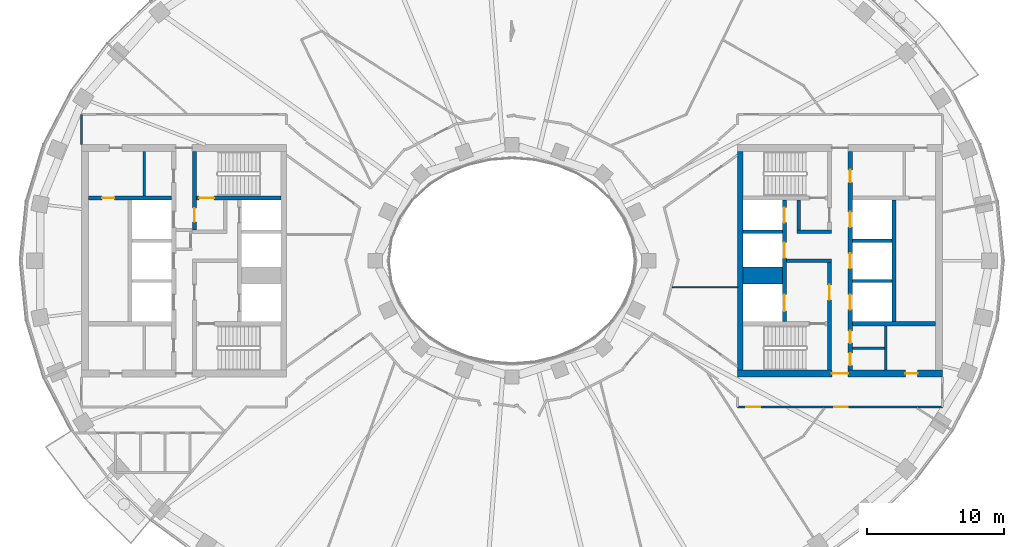
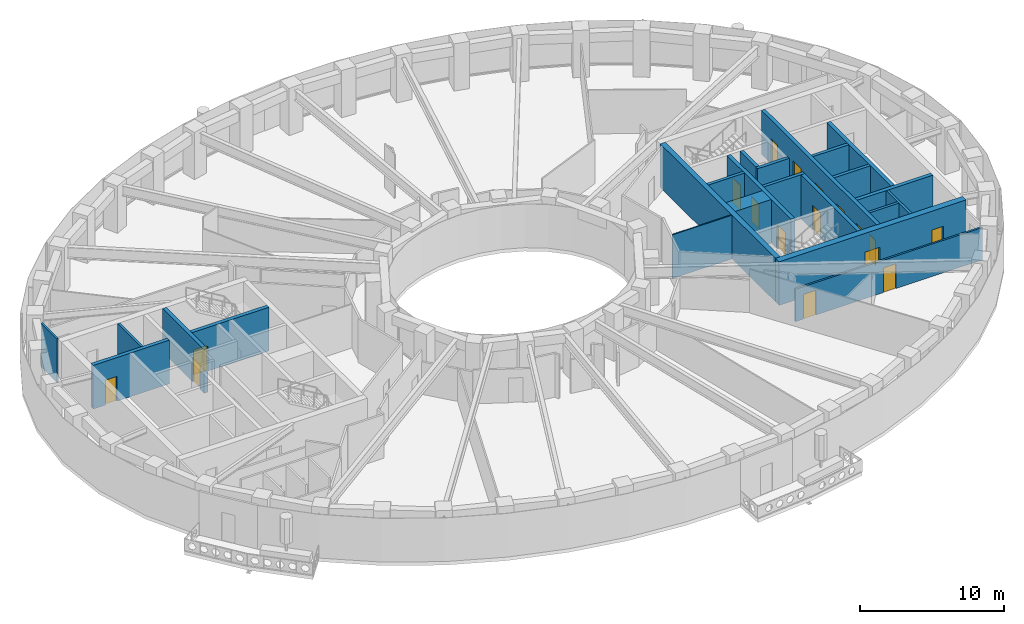
# One storey, part 5 of 16: 23 walls, 17 doors, 17 openings.
"""IFC4 building model written with IfcOpenShell, lengths in metres."""

from ifc_helpers import new_model, si_unit, direction, frame, frame_2d, origin, place, context, subcontext, project, spatial, rectangle, extrude, material, layer, layer_set, type_object, element, fill, save


model = new_model("IFC4")

# Units and contexts
model_context = context("Model", 3, precision=1e-05, world=origin(), true_north=direction((0.0, 1.0)))
body_context = subcontext(model_context, "Body", "Model", "MODEL_VIEW")
ifc_project = project(units=[si_unit("LENGTHUNIT", "METRE"), si_unit("AREAUNIT", "SQUARE_METRE"), si_unit("VOLUMEUNIT", "CUBIC_METRE"), si_unit("PLANEANGLEUNIT", "RADIAN"), si_unit("MASSUNIT", "GRAM", prefix="KILO")], contexts=[model_context])

# Site, building, storey
site_placement = place(None, origin())
site = spatial("IfcSite", under=ifc_project, at=site_placement, CompositionType="ELEMENT")
building_placement = place(site_placement, origin())
building = spatial("IfcBuilding", under=site, at=building_placement, Name="Noorbagh Ring Tower", CompositionType="ELEMENT")
storey_placement = place(building_placement, frame((0.0, 0.0, 186.0)))
storey = spatial("IfcBuildingStorey", under=building, at=storey_placement, Name="L43", CompositionType="ELEMENT", Elevation=186.0)

# Walls
ifc_material_1 = material(Name="Gypsum board on steel studs", Category="steel")
ifc_layer_1 = layer(ifc_material_1, 0.199951171875)
ifc_layer_set_1 = layer_set([ifc_layer_1], Name="Gypsum board on steel studs")
wall_type_1 = type_object("IfcWallType", Name="CORE-PARTITION-200", PredefinedType="PARTITIONING", material=ifc_layer_set_1)
for number, where, z_axis, x_axis, name in (
    (1, (-26.89990234375, 4.75, 0.0), (0.0, 0.0, 1.0), (0.0, 1.0, 0.0), "Core partition W"),
    (2, (27.35009765625, -8.0, 0.0), (0.0, 0.0, 1.0), (0.0, 1.0, 0.0), "Core partition E"),
):
    element("IfcWall", number, at=place(storey_placement, frame(where, z_axis=z_axis, x_axis=x_axis)), inside=storey, type_object=wall_type_1, Name=name, PredefinedType="PARTITIONING", context=body_context, shape_type="SweptSolid", body=[
        extrude(rectangle(XDim=3.25, YDim=0.199951171875, at=frame_2d((1.625, 0.0))), origin(), (0.0, 0.0, 1.0), 3.699951171875),
    ])
wall_1_placement = place(storey_placement, frame((24.89990234375, -6.39990234375, 0.0), z_axis=(0.0, 0.0, 1.0), x_axis=(1.0, 0.0, 0.0)))
element("IfcWall", 3, at=wall_1_placement, inside=storey, type_object=wall_type_1, Name="Core partition E", PredefinedType="PARTITIONING", context=body_context, shape_type="SweptSolid", body=[
    extrude(rectangle(XDim=2.35009765625, YDim=0.199951171875, at=frame_2d((1.175048828125, 0.0))), origin(), (0.0, 0.0, 1.0), 3.699951171875),
])
ifc_material_2 = material(Name="Concrete C60/75", Category="concrete")
ifc_layer_2 = layer(ifc_material_2, 1.25)
ifc_layer_set_2 = layer_set([ifc_layer_2], Name="Concrete C60/75")
wall_type_2 = type_object("IfcWallType", Name="CORE-WALL-1250-C60-75-EI120", PredefinedType="SHEAR", material=ifc_layer_set_2)
wall_2_placement = place(storey_placement, frame((16.89990234375, -1.074951171875, 0.0), z_axis=(0.0, 0.0, 1.0), x_axis=(1.0, 0.0, 0.0)))
element("IfcWall", 4, at=wall_2_placement, inside=storey, type_object=wall_type_2, Name="Core wall E", PredefinedType="SHEAR", context=body_context, shape_type="SweptSolid", body=[
    extrude(rectangle(XDim=2.900146484375, YDim=1.25, at=frame_2d((1.4501953125, 0.0))), origin(), (0.0, 0.0, 1.0), 3.699951171875),
])
ifc_material_3 = material(Name="Concrete C60/75", Category="concrete")
ifc_layer_3 = layer(ifc_material_3, 0.25)
ifc_layer_set_3 = layer_set([ifc_layer_3], Name="Concrete C60/75")
wall_type_3 = type_object("IfcWallType", Name="CORE-WALL-250-C60-75-EI120", PredefinedType="SHEAR", material=ifc_layer_set_3)
for number, where, z_axis, x_axis, name in (
    (5, (16.89990234375, 2.125, 0.0), (0.0, 0.0, 1.0), (1.0, 0.0, 0.0), "Core wall E"),
    (6, (24.89990234375, -1.47509765625, 0.0), (0.0, 0.0, 1.0), (1.0, 0.0, 0.0), "Core wall E"),
    (7, (24.89990234375, 1.47509765625, 0.0), (0.0, 0.0, 1.0), (1.0, 0.0, 0.0), "Core wall E"),
):
    element("IfcWall", number, at=place(storey_placement, frame(where, z_axis=z_axis, x_axis=x_axis)), inside=storey, type_object=wall_type_3, Name=name, PredefinedType="SHEAR", context=body_context, shape_type="SweptSolid", body=[
        extrude(rectangle(XDim=2.900146484375, YDim=0.25, at=frame_2d((1.4501953125, 0.0))), origin(), (0.0, 0.0, 1.0), 3.699951171875),
    ])
ifc_material_4 = material(Name="Concrete C60/75", Category="concrete")
ifc_layer_4 = layer(ifc_material_4, 0.25)
ifc_layer_set_4 = layer_set([ifc_layer_4], Name="Concrete C60/75")
wall_type_4 = type_object("IfcWallType", Name="CORE-WALL-250-C60-75-EI240", PredefinedType="SHEAR", material=ifc_layer_set_4)
wall_3_placement = place(storey_placement, frame((20.10009765625, 0.0, 0.0), z_axis=(0.0, 0.0, 1.0), x_axis=(1.0, 0.0, 0.0)))
element("IfcWall", 8, at=wall_3_placement, inside=storey, type_object=wall_type_4, Name="Core wall E", PredefinedType="SHEAR", context=body_context, shape_type="SweptSolid", body=[
    extrude(rectangle(XDim=3.27978515625, YDim=0.25, at=frame_2d((1.639892578125, 0.0))), origin(), (0.0, 0.0, 1.0), 3.699951171875),
])
wall_4_placement = place(storey_placement, frame((20.85009765625, 2.125, 0.0), z_axis=(0.0, 0.0, 1.0), x_axis=(1.0, 0.0, 0.0)))
element("IfcWall", 9, at=wall_4_placement, inside=storey, type_object=wall_type_4, Name="Core wall E", PredefinedType="SHEAR", context=body_context, shape_type="SweptSolid", body=[
    extrude(rectangle(XDim=2.52978515625, YDim=0.25, at=frame_2d((1.264892578125, 0.0))), origin(), (0.0, 0.0, 1.0), 3.699951171875),
])
wall_5_placement = place(storey_placement, frame((20.97509765625, 2.25, 0.0), z_axis=(0.0, 0.0, 1.0), x_axis=(0.0, 1.0, 0.0)))
element("IfcWall", 10, at=wall_5_placement, inside=storey, type_object=wall_type_4, Name="Core wall E", PredefinedType="SHEAR", context=body_context, shape_type="SweptSolid", body=[
    extrude(rectangle(XDim=2.199951171875, YDim=0.25, at=frame_2d((1.10009765625, 0.0))), origin(), (0.0, 0.0, 1.0), 3.699951171875),
])
ifc_material_5 = material(Name="Concrete C60/75", Category="concrete")
ifc_layer_5 = layer(ifc_material_5, 0.300048828125)
ifc_layer_set_5 = layer_set([ifc_layer_5], Name="Concrete C60/75")
wall_type_5 = type_object("IfcWallType", Name="CORE-WALL-300-C60-75-EI120", PredefinedType="SHEAR", material=ifc_layer_set_5)
wall_6_placement = place(storey_placement, frame((27.949951171875, -4.449951171875, 0.0), z_axis=(0.0, 0.0, 1.0), x_axis=(0.0, 1.0, 0.0)))
element("IfcWall", 11, at=wall_6_placement, inside=storey, type_object=wall_type_5, Name="Core wall E", PredefinedType="SHEAR", context=body_context, shape_type="SweptSolid", body=[
    extrude(rectangle(XDim=8.89990234375, YDim=0.300048828125, at=frame_2d((4.449951171875, 0.0))), origin(), (0.0, 0.0, 1.0), 3.699951171875),
])

# Wall, openings, doors
wall_7_placement = place(storey_placement, frame((19.949951171875, -4.449951171875, 0.0), z_axis=(0.0, 0.0, 1.0), x_axis=(0.0, 1.0, 0.0)))
wall_7 = element("IfcWall", 12, at=wall_7_placement, inside=storey, type_object=wall_type_5, Name="Core wall E", PredefinedType="SHEAR", context=body_context, shape_type="SweptSolid", body=[
    extrude(rectangle(XDim=8.89990234375, YDim=0.300048828125, at=frame_2d((4.449951171875, 0.0))), origin(), (0.0, 0.0, 1.0), 3.699951171875),
])
opening_1_placement = place(wall_7_placement, frame((0.77490234375, 0.0, 0.0)))
opening_1 = element("IfcOpeningElement", 13, at=opening_1_placement, cuts=wall_7, Name="Opening L43-CE01", PredefinedType="OPENING", context=body_context, shape_type="SweptSolid", body=[
    extrude(rectangle(XDim=1.199951171875, YDim=2.10009765625, at=frame_2d((0.60009765625, 1.050048828125))), frame((0.0, 0.16015625, 0.0), z_axis=(0.0, -1.0, 0.0), x_axis=(1.0, 0.0, 0.0)), (0.0, 0.0, 1.0), 0.320068359375),
])
opening_2_placement = place(wall_7_placement, frame((4.675048828125, 0.0, 0.0)))
opening_2 = element("IfcOpeningElement", 14, at=opening_2_placement, cuts=wall_7, Name="Opening L43-CE02", PredefinedType="OPENING", context=body_context, shape_type="SweptSolid", body=[
    extrude(rectangle(XDim=1.10009765625, YDim=2.10009765625, at=frame_2d((0.550048828125, 1.050048828125))), frame((0.0, 0.16015625, 0.0), z_axis=(0.0, -1.0, 0.0), x_axis=(1.0, 0.0, 0.0)), (0.0, 0.0, 1.0), 0.320068359375),
])
opening_3_placement = place(wall_7_placement, frame((7.25, 0.0, 0.0)))
opening_3 = element("IfcOpeningElement", 15, at=opening_3_placement, cuts=wall_7, Name="Opening L43-CE03", PredefinedType="OPENING", context=body_context, shape_type="SweptSolid", body=[
    extrude(rectangle(XDim=1.10009765625, YDim=2.10009765625, at=frame_2d((0.550048828125, 1.050048828125))), frame((0.0, 0.16015625, 0.0), z_axis=(0.0, -1.0, 0.0), x_axis=(1.0, 0.0, 0.0)), (0.0, 0.0, 1.0), 0.320068359375),
])
ifc_material_6 = material(Name="Steel door leaf", Category="steel")
door_type_1 = type_object("IfcDoorType", Name="CORE-DOOR-LD", OperationType="DOUBLE_DOOR_SLIDING", PredefinedType="DOOR", material=ifc_material_6)
door_1_placement = place(opening_2_placement, origin())
door_1 = element("IfcDoor", 16, at=door_1_placement, inside=storey, type_object=door_type_1, Name="Landing door HR7 L43-CE02", OperationType="DOUBLE_DOOR_SLIDING", OverallHeight=2.10009765625, OverallWidth=1.10009765625, PredefinedType="DOOR", context=body_context, shape_type="SweptSolid", body=[
    extrude(rectangle(XDim=1.10009765625, YDim=2.10009765625, at=frame_2d((0.550048828125, 1.050048828125))), frame((0.0, 0.02490234375, 0.0), z_axis=(0.0, -1.0, 0.0), x_axis=(1.0, 0.0, 0.0)), (0.0, 0.0, 1.0), 0.050048828125),
])
fill(opening_2, door_1)
door_2_placement = place(opening_3_placement, origin())
door_2 = element("IfcDoor", 17, at=door_2_placement, inside=storey, type_object=door_type_1, Name="Landing door HR8 L43-CE03", OperationType="DOUBLE_DOOR_SLIDING", OverallHeight=2.10009765625, OverallWidth=1.10009765625, PredefinedType="DOOR", context=body_context, shape_type="SweptSolid", body=[
    extrude(rectangle(XDim=1.10009765625, YDim=2.10009765625, at=frame_2d((0.550048828125, 1.050048828125))), frame((0.0, 0.02490234375, 0.0), z_axis=(0.0, -1.0, 0.0), x_axis=(1.0, 0.0, 0.0)), (0.0, 0.0, 1.0), 0.050048828125),
])
fill(opening_3, door_2)
ifc_material_7 = material(Name="Steel door leaf", Category="steel")
door_type_2 = type_object("IfcDoorType", Name="CORE-DOOR-LDW", OperationType="DOUBLE_DOOR_SLIDING", PredefinedType="DOOR", material=ifc_material_7)
door_3_placement = place(opening_1_placement, origin())
door_3 = element("IfcDoor", 18, at=door_3_placement, inside=storey, type_object=door_type_2, Name="Landing door FF2 L43-CE01", OperationType="DOUBLE_DOOR_SLIDING", OverallHeight=2.10009765625, OverallWidth=1.199951171875, PredefinedType="DOOR", context=body_context, shape_type="SweptSolid", body=[
    extrude(rectangle(XDim=1.199951171875, YDim=2.10009765625, at=frame_2d((0.60009765625, 1.050048828125))), frame((0.0, 0.02490234375, 0.0), z_axis=(0.0, -1.0, 0.0), x_axis=(1.0, 0.0, 0.0)), (0.0, 0.0, 1.0), 0.050048828125),
])
fill(opening_1, door_3)

wall_8_placement = place(storey_placement, frame((24.75, -8.0, 0.0), z_axis=(0.0, 0.0, 1.0), x_axis=(0.0, 1.0, 0.0)))
wall_8 = element("IfcWall", 19, at=wall_8_placement, inside=storey, type_object=wall_type_5, Name="Core wall E", PredefinedType="SHEAR", context=body_context, shape_type="SweptSolid", body=[
    extrude(rectangle(XDim=16.0, YDim=0.300048828125, at=frame_2d((8.0, 0.0))), origin(), (0.0, 0.0, 1.0), 3.699951171875),
])
opening_4_placement = place(wall_8_placement, frame((4.425048828125, 0.0, 0.0)))
opening_4 = element("IfcOpeningElement", 20, at=opening_4_placement, cuts=wall_8, Name="Opening L43-CE04", PredefinedType="OPENING", context=body_context, shape_type="SweptSolid", body=[
    extrude(rectangle(XDim=1.10009765625, YDim=2.10009765625, at=frame_2d((0.550048828125, 1.050048828125))), frame((0.0, 0.16015625, 0.0), z_axis=(0.0, -1.0, 0.0), x_axis=(1.0, 0.0, 0.0)), (0.0, 0.0, 1.0), 0.320068359375),
])
opening_5_placement = place(wall_8_placement, frame((7.449951171875, 0.0, 0.0)))
opening_5 = element("IfcOpeningElement", 21, at=opening_5_placement, cuts=wall_8, Name="Opening L43-CE05", PredefinedType="OPENING", context=body_context, shape_type="SweptSolid", body=[
    extrude(rectangle(XDim=1.10009765625, YDim=2.10009765625, at=frame_2d((0.550048828125, 1.050048828125))), frame((0.0, 0.16015625, 0.0), z_axis=(0.0, -1.0, 0.0), x_axis=(1.0, 0.0, 0.0)), (0.0, 0.0, 1.0), 0.320068359375),
])
opening_6_placement = place(wall_8_placement, frame((10.47509765625, 0.0, 0.0)))
opening_6 = element("IfcOpeningElement", 22, at=opening_6_placement, cuts=wall_8, Name="Opening L43-CE06", PredefinedType="OPENING", context=body_context, shape_type="SweptSolid", body=[
    extrude(rectangle(XDim=1.10009765625, YDim=2.10009765625, at=frame_2d((0.550048828125, 1.050048828125))), frame((0.0, 0.16015625, 0.0), z_axis=(0.0, -1.0, 0.0), x_axis=(1.0, 0.0, 0.0)), (0.0, 0.0, 1.0), 0.320068359375),
])
opening_7_placement = place(wall_8_placement, frame((13.75, 0.0, 0.0)))
opening_7 = element("IfcOpeningElement", 23, at=opening_7_placement, cuts=wall_8, Name="Opening L43-CE13", PredefinedType="OPENING", context=body_context, shape_type="SweptSolid", body=[
    extrude(rectangle(XDim=0.89990234375, YDim=2.10009765625, at=frame_2d((0.449951171875, 1.050048828125))), frame((0.0, 0.16015625, 0.0), z_axis=(0.0, -1.0, 0.0), x_axis=(1.0, 0.0, 0.0)), (0.0, 0.0, 1.0), 0.320068359375),
])
opening_8_placement = place(wall_8_placement, frame((1.97509765625, 0.0, 0.0)))
opening_8 = element("IfcOpeningElement", 24, at=opening_8_placement, cuts=wall_8, Name="Opening L43-CE15", PredefinedType="OPENING", context=body_context, shape_type="SweptSolid", body=[
    extrude(rectangle(XDim=0.89990234375, YDim=2.10009765625, at=frame_2d((0.449951171875, 1.050048828125))), frame((0.0, 0.16015625, 0.0), z_axis=(0.0, -1.0, 0.0), x_axis=(1.0, 0.0, 0.0)), (0.0, 0.0, 1.0), 0.320068359375),
])
opening_9_placement = place(wall_8_placement, frame((0.35009765625, 0.0, 0.0)))
opening_9 = element("IfcOpeningElement", 25, at=opening_9_placement, cuts=wall_8, Name="Opening L43-CE16", PredefinedType="OPENING", context=body_context, shape_type="SweptSolid", body=[
    extrude(rectangle(XDim=0.89990234375, YDim=2.10009765625, at=frame_2d((0.449951171875, 1.050048828125))), frame((0.0, 0.16015625, 0.0), z_axis=(0.0, -1.0, 0.0), x_axis=(1.0, 0.0, 0.0)), (0.0, 0.0, 1.0), 0.320068359375),
])
ifc_material_8 = material(Name="Steel door leaf", Category="steel")
door_type_3 = type_object("IfcDoorType", Name="CORE-DOOR-DROOM", OperationType="SINGLE_SWING_LEFT", PredefinedType="DOOR", material=ifc_material_8)
door_4_placement = place(opening_7_placement, origin())
door_4 = element("IfcDoor", 26, at=door_4_placement, inside=storey, type_object=door_type_3, Name="Core room door L43-CE13", OperationType="SINGLE_SWING_LEFT", OverallHeight=2.10009765625, OverallWidth=0.89990234375, PredefinedType="DOOR", context=body_context, shape_type="SweptSolid", body=[
    extrude(rectangle(XDim=0.89990234375, YDim=2.10009765625, at=frame_2d((0.449951171875, 1.050048828125))), frame((0.0, 0.02490234375, 0.0), z_axis=(0.0, -1.0, 0.0), x_axis=(1.0, 0.0, 0.0)), (0.0, 0.0, 1.0), 0.050048828125),
])
fill(opening_7, door_4)
door_5_placement = place(opening_8_placement, origin())
door_5 = element("IfcDoor", 27, at=door_5_placement, inside=storey, type_object=door_type_3, Name="Core room door L43-CE15", OperationType="SINGLE_SWING_LEFT", OverallHeight=2.10009765625, OverallWidth=0.89990234375, PredefinedType="DOOR", context=body_context, shape_type="SweptSolid", body=[
    extrude(rectangle(XDim=0.89990234375, YDim=2.10009765625, at=frame_2d((0.449951171875, 1.050048828125))), frame((0.0, 0.02490234375, 0.0), z_axis=(0.0, -1.0, 0.0), x_axis=(1.0, 0.0, 0.0)), (0.0, 0.0, 1.0), 0.050048828125),
])
fill(opening_8, door_5)
door_6_placement = place(opening_9_placement, origin())
door_6 = element("IfcDoor", 28, at=door_6_placement, inside=storey, type_object=door_type_3, Name="Core room door L43-CE16", OperationType="SINGLE_SWING_RIGHT", OverallHeight=2.10009765625, OverallWidth=0.89990234375, PredefinedType="DOOR", context=body_context, shape_type="SweptSolid", body=[
    extrude(rectangle(XDim=0.89990234375, YDim=2.10009765625, at=frame_2d((0.449951171875, 1.050048828125))), frame((0.0, 0.02490234375, 0.0), z_axis=(0.0, -1.0, 0.0), x_axis=(1.0, 0.0, 0.0)), (0.0, 0.0, 1.0), 0.050048828125),
])
fill(opening_9, door_6)
door_7_placement = place(opening_4_placement, origin())
door_7 = element("IfcDoor", 29, at=door_7_placement, inside=storey, type_object=door_type_1, Name="Landing door HR9 L43-CE04", OperationType="DOUBLE_DOOR_SLIDING", OverallHeight=2.10009765625, OverallWidth=1.10009765625, PredefinedType="DOOR", context=body_context, shape_type="SweptSolid", body=[
    extrude(rectangle(XDim=1.10009765625, YDim=2.10009765625, at=frame_2d((0.550048828125, 1.050048828125))), frame((0.0, 0.02490234375, 0.0), z_axis=(0.0, -1.0, 0.0), x_axis=(1.0, 0.0, 0.0)), (0.0, 0.0, 1.0), 0.050048828125),
])
fill(opening_4, door_7)
door_8_placement = place(opening_5_placement, origin())
door_8 = element("IfcDoor", 30, at=door_8_placement, inside=storey, type_object=door_type_1, Name="Landing door HR10 L43-CE05", OperationType="DOUBLE_DOOR_SLIDING", OverallHeight=2.10009765625, OverallWidth=1.10009765625, PredefinedType="DOOR", context=body_context, shape_type="SweptSolid", body=[
    extrude(rectangle(XDim=1.10009765625, YDim=2.10009765625, at=frame_2d((0.550048828125, 1.050048828125))), frame((0.0, 0.02490234375, 0.0), z_axis=(0.0, -1.0, 0.0), x_axis=(1.0, 0.0, 0.0)), (0.0, 0.0, 1.0), 0.050048828125),
])
fill(opening_5, door_8)
door_9_placement = place(opening_6_placement, origin())
door_9 = element("IfcDoor", 31, at=door_9_placement, inside=storey, type_object=door_type_1, Name="Landing door HR11 L43-CE06", OperationType="DOUBLE_DOOR_SLIDING", OverallHeight=2.10009765625, OverallWidth=1.10009765625, PredefinedType="DOOR", context=body_context, shape_type="SweptSolid", body=[
    extrude(rectangle(XDim=1.10009765625, YDim=2.10009765625, at=frame_2d((0.550048828125, 1.050048828125))), frame((0.0, 0.02490234375, 0.0), z_axis=(0.0, -1.0, 0.0), x_axis=(1.0, 0.0, 0.0)), (0.0, 0.0, 1.0), 0.050048828125),
])
fill(opening_6, door_9)

# Wall, opening, door
ifc_material_9 = material(Name="Concrete C60/75", Category="concrete")
ifc_layer_6 = layer(ifc_material_9, 0.300048828125)
ifc_layer_set_6 = layer_set([ifc_layer_6], Name="Concrete C60/75")
wall_type_6 = type_object("IfcWallType", Name="CORE-WALL-300-C60-75-EI240", PredefinedType="SHEAR", material=ifc_layer_set_6)
wall_9_placement = place(storey_placement, frame((-24.89990234375, 4.60009765625, 0.0), z_axis=(0.0, 0.0, 1.0), x_axis=(-1.0, 0.0, 0.0)))
wall_9 = element("IfcWall", 32, at=wall_9_placement, inside=storey, type_object=wall_type_6, Name="Core wall W", PredefinedType="SHEAR", context=body_context, shape_type="SweptSolid", body=[
    extrude(rectangle(XDim=6.10009765625, YDim=0.300048828125, at=frame_2d((3.050048828125, 0.0))), origin(), (0.0, 0.0, 1.0), 3.699951171875),
])
opening_10_placement = place(wall_9_placement, frame((4.199951171875, 0.0, 0.0)))
opening_10 = element("IfcOpeningElement", 33, at=opening_10_placement, cuts=wall_9, Name="Opening L43-CW17", PredefinedType="OPENING", context=body_context, shape_type="SweptSolid", body=[
    extrude(rectangle(XDim=0.89990234375, YDim=2.10009765625, at=frame_2d((0.449951171875, 1.050048828125))), frame((0.0, 0.16015625, 0.0), z_axis=(0.0, -1.0, 0.0), x_axis=(1.0, 0.0, 0.0)), (0.0, 0.0, 1.0), 0.320068359375),
])
door_10_placement = place(opening_10_placement, origin())
door_10 = element("IfcDoor", 34, at=door_10_placement, inside=storey, type_object=door_type_3, Name="Core room door L43-CW17", OperationType="SINGLE_SWING_LEFT", OverallHeight=2.10009765625, OverallWidth=0.89990234375, PredefinedType="DOOR", context=body_context, shape_type="SweptSolid", body=[
    extrude(rectangle(XDim=0.89990234375, YDim=2.10009765625, at=frame_2d((0.449951171875, 1.050048828125))), frame((0.0, 0.02490234375, 0.0), z_axis=(0.0, -1.0, 0.0), x_axis=(1.0, 0.0, 0.0)), (0.0, 0.0, 1.0), 0.050048828125),
])
fill(opening_10, door_10)

wall_10_placement = place(storey_placement, frame((-23.22998046875, 2.25, 0.0), z_axis=(0.0, 0.0, 1.0), x_axis=(0.0, 1.0, 0.0)))
wall_10 = element("IfcWall", 35, at=wall_10_placement, inside=storey, type_object=wall_type_6, Name="Core wall W", PredefinedType="SHEAR", context=body_context, shape_type="SweptSolid", body=[
    extrude(rectangle(XDim=5.75, YDim=0.300048828125, at=frame_2d((2.875, 0.0))), origin(), (0.0, 0.0, 1.0), 3.699951171875),
])
opening_11_placement = place(wall_10_placement, frame((0.60009765625, 0.0, 0.0)))
opening_11 = element("IfcOpeningElement", 36, at=opening_11_placement, cuts=wall_10, Name="Opening L43-CW09", PredefinedType="OPENING", context=body_context, shape_type="SweptSolid", body=[
    extrude(rectangle(XDim=1.0, YDim=2.10009765625, at=frame_2d((0.5, 1.050048828125))), frame((0.0, 0.16015625, 0.0), z_axis=(0.0, -1.0, 0.0), x_axis=(1.0, 0.0, 0.0)), (0.0, 0.0, 1.0), 0.320068359375),
])
ifc_material_10 = material(Name="Steel door leaf", Category="steel")
door_type_4 = type_object("IfcDoorType", Name="CORE-DOOR-DVEST", OperationType="SINGLE_SWING_LEFT", PredefinedType="DOOR", material=ifc_material_10)
door_11_placement = place(opening_11_placement, origin())
door_11 = element("IfcDoor", 37, at=door_11_placement, inside=storey, type_object=door_type_4, Name="Stair vestibule door L43-CW09", OperationType="SINGLE_SWING_LEFT", OverallHeight=2.10009765625, OverallWidth=1.0, PredefinedType="DOOR", context=body_context, shape_type="SweptSolid", body=[
    extrude(rectangle(XDim=1.0, YDim=2.10009765625, at=frame_2d((0.5, 1.050048828125))), frame((0.0, 0.02490234375, 0.0), z_axis=(0.0, -1.0, 0.0), x_axis=(1.0, 0.0, 0.0)), (0.0, 0.0, 1.0), 0.050048828125),
])
fill(opening_11, door_11)

wall_11_placement = place(storey_placement, frame((-16.89990234375, 4.60009765625, 0.0), z_axis=(0.0, 0.0, 1.0), x_axis=(-1.0, 0.0, 0.0)))
wall_11 = element("IfcWall", 38, at=wall_11_placement, inside=storey, type_object=wall_type_6, Name="Core wall W", PredefinedType="SHEAR", context=body_context, shape_type="SweptSolid", body=[
    extrude(rectangle(XDim=6.18017578125, YDim=0.300048828125, at=frame_2d((3.090087890625, 0.0))), origin(), (0.0, 0.0, 1.0), 3.699951171875),
])
opening_12_placement = place(wall_11_placement, frame((4.89990234375, 0.0, 0.0)))
opening_12 = element("IfcOpeningElement", 39, at=opening_12_placement, cuts=wall_11, Name="Opening L43-CW06", PredefinedType="OPENING", context=body_context, shape_type="SweptSolid", body=[
    extrude(rectangle(XDim=1.10009765625, YDim=2.10009765625, at=frame_2d((0.550048828125, 1.050048828125))), frame((0.0, 0.16015625, 0.0), z_axis=(0.0, -1.0, 0.0), x_axis=(1.0, 0.0, 0.0)), (0.0, 0.0, 1.0), 0.320068359375),
])
ifc_material_11 = material(Name="Steel door leaf", Category="steel")
door_type_5 = type_object("IfcDoorType", Name="CORE-DOOR-DSTAIR", OperationType="SINGLE_SWING_LEFT", PredefinedType="DOOR", material=ifc_material_11)
door_12_placement = place(opening_12_placement, origin())
door_12 = element("IfcDoor", 40, at=door_12_placement, inside=storey, type_object=door_type_5, Name="Stair door ST1 L43-CW06", OperationType="SINGLE_SWING_RIGHT", OverallHeight=2.10009765625, OverallWidth=1.10009765625, PredefinedType="DOOR", context=body_context, shape_type="SweptSolid", body=[
    extrude(rectangle(XDim=1.10009765625, YDim=2.10009765625, at=frame_2d((0.550048828125, 1.050048828125))), frame((0.0, 0.02490234375, 0.0), z_axis=(0.0, -1.0, 0.0), x_axis=(1.0, 0.0, 0.0)), (0.0, 0.0, 1.0), 0.050048828125),
])
fill(opening_12, door_12)

# Wall
wall_12_placement = place(storey_placement, frame((24.89990234375, -4.60009765625, 0.0), z_axis=(0.0, 0.0, 1.0), x_axis=(1.0, 0.0, 0.0)))
element("IfcWall", 41, at=wall_12_placement, inside=storey, type_object=wall_type_6, Name="Core wall E", PredefinedType="SHEAR", context=body_context, shape_type="SweptSolid", body=[
    extrude(rectangle(XDim=6.10009765625, YDim=0.300048828125, at=frame_2d((3.050048828125, 0.0))), origin(), (0.0, 0.0, 1.0), 3.699951171875),
])

# Wall, opening, door
wall_13_placement = place(storey_placement, frame((23.22998046875, -8.0, 0.0), z_axis=(0.0, 0.0, 1.0), x_axis=(0.0, 1.0, 0.0)))
wall_13 = element("IfcWall", 42, at=wall_13_placement, inside=storey, type_object=wall_type_6, Name="Core wall E", PredefinedType="SHEAR", context=body_context, shape_type="SweptSolid", body=[
    extrude(rectangle(XDim=7.875, YDim=0.300048828125, at=frame_2d((3.9375, 0.0))), origin(), (0.0, 0.0, 1.0), 3.699951171875),
])
opening_13_placement = place(wall_13_placement, frame((5.14990234375, 0.0, 0.0)))
opening_13 = element("IfcOpeningElement", 43, at=opening_13_placement, cuts=wall_13, Name="Opening L43-CE09", PredefinedType="OPENING", context=body_context, shape_type="SweptSolid", body=[
    extrude(rectangle(XDim=1.10009765625, YDim=2.10009765625, at=frame_2d((0.550048828125, 1.050048828125))), frame((0.0, 0.16015625, 0.0), z_axis=(0.0, -1.0, 0.0), x_axis=(1.0, 0.0, 0.0)), (0.0, 0.0, 1.0), 0.320068359375),
])
ifc_material_12 = material(Name="Steel door leaf", Category="steel")
door_type_6 = type_object("IfcDoorType", Name="CORE-DOOR-DFF", OperationType="SINGLE_SWING_LEFT", PredefinedType="DOOR", material=ifc_material_12)
door_13_placement = place(opening_13_placement, origin())
door_13 = element("IfcDoor", 44, at=door_13_placement, inside=storey, type_object=door_type_6, Name="Firefighting lobby door L43-CE09", OperationType="SINGLE_SWING_RIGHT", OverallHeight=2.10009765625, OverallWidth=1.10009765625, PredefinedType="DOOR", context=body_context, shape_type="SweptSolid", body=[
    extrude(rectangle(XDim=1.10009765625, YDim=2.10009765625, at=frame_2d((0.550048828125, 1.050048828125))), frame((0.0, 0.02490234375, 0.0), z_axis=(0.0, -1.0, 0.0), x_axis=(1.0, 0.0, 0.0)), (0.0, 0.0, 1.0), 0.050048828125),
])
fill(opening_13, door_13)

# Wall
ifc_material_13 = material(Name="Concrete C60/75", Category="concrete")
ifc_layer_7 = layer(ifc_material_13, 0.39990234375)
ifc_layer_set_7 = layer_set([ifc_layer_7], Name="Concrete C60/75")
wall_type_7 = type_object("IfcWallType", Name="CORE-WALL-400-C60-75-EI240", PredefinedType="SHEAR", material=ifc_layer_set_7)
wall_14_placement = place(storey_placement, frame((16.699951171875, -8.0, 0.0), z_axis=(0.0, 0.0, 1.0), x_axis=(0.0, 1.0, 0.0)))
element("IfcWall", 45, at=wall_14_placement, inside=storey, type_object=wall_type_7, Name="Core wall E", PredefinedType="SHEAR", context=body_context, shape_type="SweptSolid", body=[
    extrude(rectangle(XDim=16.0, YDim=0.39990234375, at=frame_2d((8.0, 0.0))), origin(), (0.0, 0.0, 1.0), 3.699951171875),
])

# Wall, openings, doors
ifc_material_14 = material(Name="Concrete C60/75", Category="concrete")
ifc_layer_8 = layer(ifc_material_14, 0.5)
ifc_layer_set_8 = layer_set([ifc_layer_8], Name="Concrete C60/75")
wall_type_8 = type_object("IfcWallType", Name="CORE-WALL-500-C60-75-EI240", PredefinedType="SHEAR", material=ifc_layer_set_8)
wall_15_placement = place(storey_placement, frame((16.5, -8.25, 0.0), z_axis=(0.0, 0.0, 1.0), x_axis=(1.0, 0.0, 0.0)))
wall_15 = element("IfcWall", 46, at=wall_15_placement, inside=storey, type_object=wall_type_8, Name="Core wall E", PredefinedType="SHEAR", context=body_context, shape_type="SweptSolid", body=[
    extrude(rectangle(XDim=15.0, YDim=0.5, at=frame_2d((7.5, 0.0))), origin(), (0.0, 0.0, 1.0), 3.699951171875),
])
opening_14_placement = place(wall_15_placement, frame((6.89990234375, 0.0, 0.0)))
opening_14 = element("IfcOpeningElement", 47, at=opening_14_placement, cuts=wall_15, Name="Opening L43-CE12", PredefinedType="OPENING", context=body_context, shape_type="SweptSolid", body=[
    extrude(rectangle(XDim=1.199951171875, YDim=2.10009765625, at=frame_2d((0.60009765625, 1.050048828125))), frame((0.0, 0.260009765625, 0.0), z_axis=(0.0, -1.0, 0.0), x_axis=(1.0, 0.0, 0.0)), (0.0, 0.0, 1.0), 0.52001953125),
])
opening_15_placement = place(wall_15_placement, frame((12.27490234375, 0.0, 0.0)))
opening_15 = element("IfcOpeningElement", 48, at=opening_15_placement, cuts=wall_15, Name="Opening L43-CE17", PredefinedType="OPENING", context=body_context, shape_type="SweptSolid", body=[
    extrude(rectangle(XDim=0.89990234375, YDim=2.10009765625, at=frame_2d((0.449951171875, 1.050048828125))), frame((0.0, 0.260009765625, 0.0), z_axis=(0.0, -1.0, 0.0), x_axis=(1.0, 0.0, 0.0)), (0.0, 0.0, 1.0), 0.52001953125),
])
door_14_placement = place(opening_15_placement, origin())
door_14 = element("IfcDoor", 49, at=door_14_placement, inside=storey, type_object=door_type_3, Name="Core room door L43-CE17", OperationType="SINGLE_SWING_RIGHT", OverallHeight=2.10009765625, OverallWidth=0.89990234375, PredefinedType="DOOR", context=body_context, shape_type="SweptSolid", body=[
    extrude(rectangle(XDim=0.89990234375, YDim=2.10009765625, at=frame_2d((0.449951171875, 1.050048828125))), frame((0.0, 0.02490234375, 0.0), z_axis=(0.0, -1.0, 0.0), x_axis=(1.0, 0.0, 0.0)), (0.0, 0.0, 1.0), 0.050048828125),
])
fill(opening_15, door_14)
ifc_material_15 = material(Name="Steel door leaf", Category="steel")
door_type_7 = type_object("IfcDoorType", Name="CORE-DOOR-PORT", OperationType="DOUBLE_DOOR_DOUBLE_SWING", PredefinedType="DOOR", material=ifc_material_15)
door_15_placement = place(opening_14_placement, origin())
door_15 = element("IfcDoor", 50, at=door_15_placement, inside=storey, type_object=door_type_7, Name="Core entrance door L43-CE12", OperationType="DOUBLE_DOOR_DOUBLE_SWING", OverallHeight=2.10009765625, OverallWidth=1.199951171875, PredefinedType="DOOR", context=body_context, shape_type="SweptSolid", body=[
    extrude(rectangle(XDim=1.199951171875, YDim=2.10009765625, at=frame_2d((0.60009765625, 1.050048828125))), frame((0.0, 0.02490234375, 0.0), z_axis=(0.0, -1.0, 0.0), x_axis=(1.0, 0.0, 0.0)), (0.0, 0.0, 1.0), 0.050048828125),
])
fill(opening_14, door_15)

# Wall
ifc_material_16 = material(Name="Gypsum board on steel studs", Category="steel")
ifc_layer_9 = layer(ifc_material_16, 0.14990234375)
ifc_layer_set_9 = layer_set([ifc_layer_9], Name="Gypsum board on steel studs")
wall_type_9 = type_object("IfcWallType", Name="CORRIDOR PARTITION 150 EI 30", PredefinedType="PARTITIONING", material=ifc_layer_set_9)
wall_16_placement = place(storey_placement, frame((-31.5, 8.5, 0.0), z_axis=(0.0, 0.0, 1.0), x_axis=(0.0, 1.0, 0.0)))
element("IfcWall", 51, at=wall_16_placement, inside=storey, type_object=wall_type_9, Name="L43/wall/P05", PredefinedType="PARTITIONING", context=body_context, shape_type="SweptSolid", body=[
    extrude(rectangle(XDim=2.199951171875, YDim=0.14990234375, at=frame_2d((1.10009765625, 0.0))), origin(), (0.0, 0.0, 1.0), 3.699951171875),
])

# Wall, openings, doors
wall_17_placement = place(storey_placement, frame((16.5, -10.699951171875, 0.0), z_axis=(0.0, 0.0, 1.0), x_axis=(1.0, 0.0, 0.0)))
wall_17 = element("IfcWall", 52, at=wall_17_placement, inside=storey, type_object=wall_type_9, Name="L43/wall/P68", PredefinedType="PARTITIONING", context=body_context, shape_type="SweptSolid", body=[
    extrude(rectangle(XDim=15.0, YDim=0.14990234375, at=frame_2d((7.5, 0.0))), origin(), (0.0, 0.0, 1.0), 2.75),
])
opening_16_placement = place(wall_17_placement, frame((0.64990234375, 0.0, 0.0)))
opening_16 = element("IfcOpeningElement", 53, at=opening_16_placement, cuts=wall_17, Name="Opening D1", PredefinedType="OPENING", context=body_context, shape_type="SweptSolid", body=[
    extrude(rectangle(XDim=1.0, YDim=2.10009765625, at=frame_2d((0.5, 1.050048828125))), frame((0.0, 0.0849609375, 0.0), z_axis=(0.0, -1.0, 0.0), x_axis=(1.0, 0.0, 0.0)), (0.0, 0.0, 1.0), 0.169921875),
])
opening_17_placement = place(wall_17_placement, frame((7.06103515625, 0.0, 0.0)))
opening_17 = element("IfcOpeningElement", 54, at=opening_17_placement, cuts=wall_17, Name="Opening D1", PredefinedType="OPENING", context=body_context, shape_type="SweptSolid", body=[
    extrude(rectangle(XDim=1.0, YDim=2.10009765625, at=frame_2d((0.5, 1.050048828125))), frame((0.0, 0.0849609375, 0.0), z_axis=(0.0, -1.0, 0.0), x_axis=(1.0, 0.0, 0.0)), (0.0, 0.0, 1.0), 0.169921875),
])
ifc_material_17 = material(Name="Timber, painted", Category="wood")
door_type_8 = type_object("IfcDoorType", Name="DOOR 1000 X 2100 FD30", OperationType="SINGLE_SWING_LEFT", PredefinedType="DOOR", material=ifc_material_17)
door_16_placement = place(opening_16_placement, origin())
door_16 = element("IfcDoor", 55, at=door_16_placement, inside=storey, type_object=door_type_8, Name="L43-D13", OperationType="SINGLE_SWING_LEFT", OverallHeight=2.10009765625, OverallWidth=1.0, PredefinedType="DOOR", context=body_context, shape_type="SweptSolid", body=[
    extrude(rectangle(XDim=1.0, YDim=2.10009765625, at=frame_2d((0.5, 1.050048828125))), frame((0.0, 0.02490234375, 0.0), z_axis=(0.0, -1.0, 0.0), x_axis=(1.0, 0.0, 0.0)), (0.0, 0.0, 1.0), 0.050048828125),
])
fill(opening_16, door_16)
door_17_placement = place(opening_17_placement, origin())
door_17 = element("IfcDoor", 56, at=door_17_placement, inside=storey, type_object=door_type_8, Name="L43-D15", OperationType="SINGLE_SWING_LEFT", OverallHeight=2.10009765625, OverallWidth=1.0, PredefinedType="DOOR", context=body_context, shape_type="SweptSolid", body=[
    extrude(rectangle(XDim=1.0, YDim=2.10009765625, at=frame_2d((0.5, 1.050048828125))), frame((0.0, 0.02490234375, 0.0), z_axis=(0.0, -1.0, 0.0), x_axis=(1.0, 0.0, 0.0)), (0.0, 0.0, 1.0), 0.050048828125),
])
fill(opening_17, door_17)

# Wall
ifc_material_18 = material(Name="Gypsum board on steel studs", Category="steel")
ifc_layer_10 = layer(ifc_material_18, 0.10009765625)
ifc_layer_set_10 = layer_set([ifc_layer_10], Name="Gypsum board on steel studs")
wall_type_10 = type_object("IfcWallType", Name="PARTITION 100 GYPSUM", PredefinedType="PARTITIONING", material=ifc_layer_set_10)
wall_18_placement = place(storey_placement, frame((11.72705078125, -1.927978515625, 0.0), z_axis=(0.0, 0.0, 1.0), x_axis=(1.0, 0.0, 0.0)))
element("IfcWall", 57, at=wall_18_placement, inside=storey, type_object=wall_type_10, Name="L43/wall/P63", PredefinedType="PARTITIONING", context=body_context, shape_type="SweptSolid", body=[
    extrude(rectangle(XDim=4.77294921875, YDim=0.10009765625, at=frame_2d((2.386474609375, 0.0))), origin(), (0.0, 0.0, 1.0), 3.699951171875),
])

save(model, "model.ifc")
